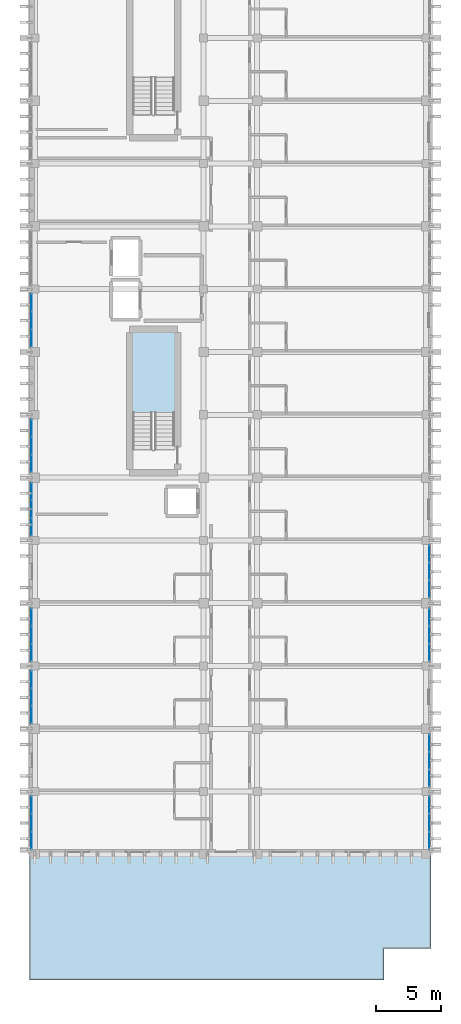
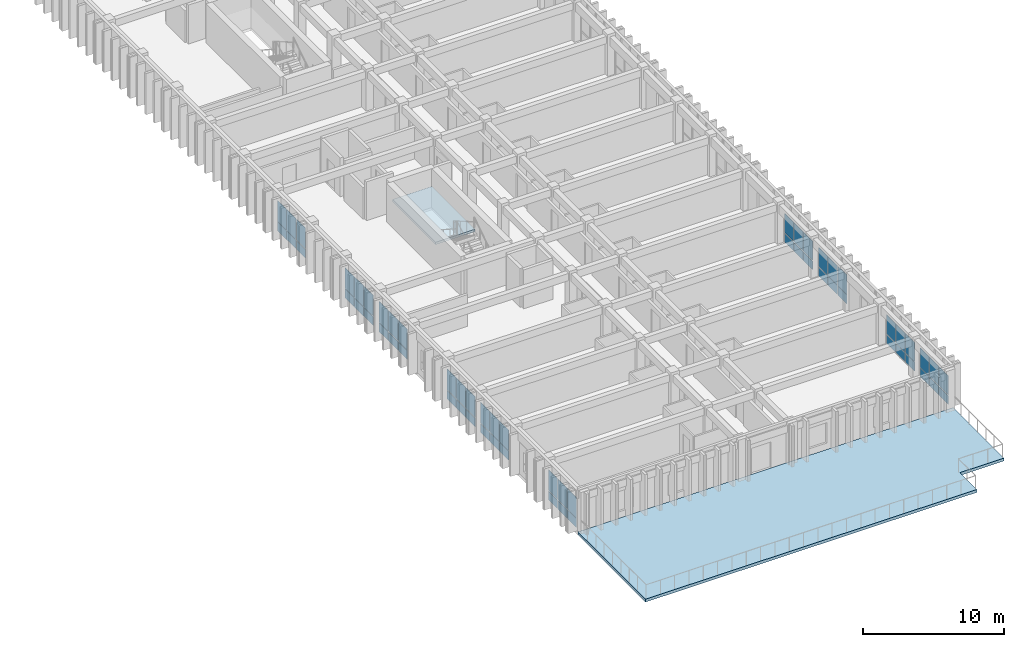
# One storey, part 45 of 59: 60 plates, 2 slabs, 11 elements without a shape of their own.
"""IFC4 building model written with IfcOpenShell, lengths in metres."""

from ifc_helpers import new_model, si_unit, direction, frame, origin, origin_2d, place, context, subcontext, project, spatial, polyline, rectangle, outline, extrude, material, layer, layer_set, type_object, element, aggregate, save


model = new_model("IFC4")

# Units and contexts
model_context = context("Model", 3, precision=1e-05, world=origin(), true_north=direction((0.0, 1.0)))
body_context = subcontext(model_context, "Body", "Model", "MODEL_VIEW")
ifc_project = project(units=[si_unit("LENGTHUNIT", "METRE"), si_unit("AREAUNIT", "SQUARE_METRE"), si_unit("VOLUMEUNIT", "CUBIC_METRE"), si_unit("PLANEANGLEUNIT", "RADIAN"), si_unit("MASSUNIT", "GRAM", prefix="KILO")], contexts=[model_context])

# Site, building, storey
site_placement = place(None, origin())
site = spatial("IfcSite", under=ifc_project, at=site_placement, CompositionType="ELEMENT")
building_placement = place(site_placement, origin())
building = spatial("IfcBuilding", under=site, at=building_placement, Name="Nakhvara Creek Congress Hotel", CompositionType="ELEMENT")
storey_placement = place(building_placement, frame((0.0, 0.0, 31.800048828125)))
storey = spatial("IfcBuildingStorey", under=building, at=storey_placement, Name="L07", CompositionType="ELEMENT", Elevation=31.800048828125)

# Curtain wall, plates
ifc_material_1 = material(Name="Bronze-anodised aluminium AW-6063-T6 and double-silver low-E glass", Category="aluminium")
ifc_layer_1 = layer(ifc_material_1, 0.199951171875)
ifc_layer_set_1 = layer_set([ifc_layer_1], Name="Bronze-anodised aluminium AW-6063-T6 and double-silver low-E glass")
curtain_wall_type = type_object("IfcCurtainWallType", Name="CW-HTL-UNIT", PredefinedType="USERDEFINED", material=ifc_layer_set_1)
curtain_wall_1_placement = place(storey_placement, origin())
curtain_wall_1 = element("IfcCurtainWall", 1, at=curtain_wall_1_placement, inside=storey, type_object=curtain_wall_type, Name="Curtain Wall CW253", ObjectType="UNITISED", PredefinedType="USERDEFINED")
ifc_material_2 = material(Name="Double-silver solar-control low-E insulated glass", Category="glass")
plate_type_1 = type_object("IfcPlateType", Name="PNL-GLZ-120X250", PredefinedType="CURTAIN_PANEL", material=ifc_material_2)
plate_1_placement = place(storey_placement, frame((179.60009765625, 51.775390625, 0.06494140625), z_axis=(0.0, 0.0, 1.0), x_axis=(0.0, -1.0, 0.0)))
plate_1 = element("IfcPlate", 2, at=plate_1_placement, type_object=plate_type_1, Name="CW253 panel 1.1", PredefinedType="CURTAIN_PANEL", context=body_context, shape_type="SweptSolid", body=[
    extrude(rectangle(XDim=1.269287109375, YDim=0.028076171875, at=origin_2d()), origin(), (0.0, 0.0, 1.0), 0.75244140625),
])
plate_2_placement = place(storey_placement, frame((179.60009765625, 51.775390625, 0.88232421875), z_axis=(0.0, 0.0, 1.0), x_axis=(0.0, -1.0, 0.0)))
plate_2 = element("IfcPlate", 3, at=plate_2_placement, type_object=plate_type_1, Name="CW253 panel 1.2", PredefinedType="CURTAIN_PANEL", context=body_context, shape_type="SweptSolid", body=[
    extrude(rectangle(XDim=1.269287109375, YDim=0.028076171875, at=origin_2d()), origin(), (0.0, 0.0, 1.0), 1.654541015625),
])
plate_3_placement = place(storey_placement, frame((179.60009765625, 50.425048828125, 0.06494140625), z_axis=(0.0, 0.0, 1.0), x_axis=(0.0, -1.0, 0.0)))
plate_3 = element("IfcPlate", 4, at=plate_3_placement, type_object=plate_type_1, Name="CW253 panel 2.1", PredefinedType="CURTAIN_PANEL", context=body_context, shape_type="SweptSolid", body=[
    extrude(rectangle(XDim=1.3017578125, YDim=0.028076171875, at=origin_2d()), origin(), (0.0, 0.0, 1.0), 0.75244140625),
])
plate_4_placement = place(storey_placement, frame((179.60009765625, 50.425048828125, 0.88232421875), z_axis=(0.0, 0.0, 1.0), x_axis=(0.0, -1.0, 0.0)))
plate_4 = element("IfcPlate", 5, at=plate_4_placement, type_object=plate_type_1, Name="CW253 panel 2.2", PredefinedType="CURTAIN_PANEL", context=body_context, shape_type="SweptSolid", body=[
    extrude(rectangle(XDim=1.3017578125, YDim=0.028076171875, at=origin_2d()), origin(), (0.0, 0.0, 1.0), 1.654541015625),
])
plate_5_placement = place(storey_placement, frame((179.60009765625, 49.074462890625, 0.06494140625), z_axis=(0.0, 0.0, 1.0), x_axis=(0.0, -1.0, 0.0)))
plate_5 = element("IfcPlate", 6, at=plate_5_placement, type_object=plate_type_1, Name="CW253 panel 3.1", PredefinedType="CURTAIN_PANEL", context=body_context, shape_type="SweptSolid", body=[
    extrude(rectangle(XDim=1.269287109375, YDim=0.028076171875, at=origin_2d()), origin(), (0.0, 0.0, 1.0), 0.75244140625),
])
plate_6_placement = place(storey_placement, frame((179.60009765625, 49.074462890625, 0.88232421875), z_axis=(0.0, 0.0, 1.0), x_axis=(0.0, -1.0, 0.0)))
plate_6 = element("IfcPlate", 7, at=plate_6_placement, type_object=plate_type_1, Name="CW253 panel 3.2", PredefinedType="CURTAIN_PANEL", context=body_context, shape_type="SweptSolid", body=[
    extrude(rectangle(XDim=1.269287109375, YDim=0.028076171875, at=origin_2d()), origin(), (0.0, 0.0, 1.0), 1.654541015625),
])
aggregate(curtain_wall_1, [plate_1, plate_2, plate_3, plate_4, plate_5, plate_6])

curtain_wall_2_placement = place(storey_placement, origin())
curtain_wall_2 = element("IfcCurtainWall", 8, at=curtain_wall_2_placement, inside=storey, type_object=curtain_wall_type, Name="Curtain Wall CW254", ObjectType="UNITISED", PredefinedType="USERDEFINED")
plate_7_placement = place(storey_placement, frame((149.199951171875, 49.074462890625, 0.06494140625), z_axis=(0.0, 0.0, 1.0), x_axis=(0.0, 1.0, 0.0)))
plate_7 = element("IfcPlate", 9, at=plate_7_placement, type_object=plate_type_1, Name="CW254 panel 1.1", PredefinedType="CURTAIN_PANEL", context=body_context, shape_type="SweptSolid", body=[
    extrude(rectangle(XDim=1.269287109375, YDim=0.028076171875, at=origin_2d()), origin(), (0.0, 0.0, 1.0), 0.75244140625),
])
plate_8_placement = place(storey_placement, frame((149.199951171875, 49.074462890625, 0.88232421875), z_axis=(0.0, 0.0, 1.0), x_axis=(0.0, 1.0, 0.0)))
plate_8 = element("IfcPlate", 10, at=plate_8_placement, type_object=plate_type_1, Name="CW254 panel 1.2", PredefinedType="CURTAIN_PANEL", context=body_context, shape_type="SweptSolid", body=[
    extrude(rectangle(XDim=1.269287109375, YDim=0.028076171875, at=origin_2d()), origin(), (0.0, 0.0, 1.0), 1.784423828125),
])
plate_9_placement = place(storey_placement, frame((149.199951171875, 50.425048828125, 0.06494140625), z_axis=(0.0, 0.0, 1.0), x_axis=(0.0, 1.0, 0.0)))
plate_9 = element("IfcPlate", 11, at=plate_9_placement, type_object=plate_type_1, Name="CW254 panel 2.1", PredefinedType="CURTAIN_PANEL", context=body_context, shape_type="SweptSolid", body=[
    extrude(rectangle(XDim=1.3017578125, YDim=0.028076171875, at=origin_2d()), origin(), (0.0, 0.0, 1.0), 0.75244140625),
])
plate_10_placement = place(storey_placement, frame((149.199951171875, 50.425048828125, 0.88232421875), z_axis=(0.0, 0.0, 1.0), x_axis=(0.0, 1.0, 0.0)))
plate_10 = element("IfcPlate", 12, at=plate_10_placement, type_object=plate_type_1, Name="CW254 panel 2.2", PredefinedType="CURTAIN_PANEL", context=body_context, shape_type="SweptSolid", body=[
    extrude(rectangle(XDim=1.3017578125, YDim=0.028076171875, at=origin_2d()), origin(), (0.0, 0.0, 1.0), 1.784423828125),
])
plate_11_placement = place(storey_placement, frame((149.199951171875, 51.775390625, 0.06494140625), z_axis=(0.0, 0.0, 1.0), x_axis=(0.0, 1.0, 0.0)))
plate_11 = element("IfcPlate", 13, at=plate_11_placement, type_object=plate_type_1, Name="CW254 panel 3.1", PredefinedType="CURTAIN_PANEL", context=body_context, shape_type="SweptSolid", body=[
    extrude(rectangle(XDim=1.269287109375, YDim=0.028076171875, at=origin_2d()), origin(), (0.0, 0.0, 1.0), 0.75244140625),
])
plate_12_placement = place(storey_placement, frame((149.199951171875, 51.775390625, 0.88232421875), z_axis=(0.0, 0.0, 1.0), x_axis=(0.0, 1.0, 0.0)))
plate_12 = element("IfcPlate", 14, at=plate_12_placement, type_object=plate_type_1, Name="CW254 panel 3.2", PredefinedType="CURTAIN_PANEL", context=body_context, shape_type="SweptSolid", body=[
    extrude(rectangle(XDim=1.269287109375, YDim=0.028076171875, at=origin_2d()), origin(), (0.0, 0.0, 1.0), 1.784423828125),
])
aggregate(curtain_wall_2, [plate_7, plate_8, plate_9, plate_10, plate_11, plate_12])

curtain_wall_3_placement = place(storey_placement, origin())
curtain_wall_3 = element("IfcCurtainWall", 15, at=curtain_wall_3_placement, inside=storey, type_object=curtain_wall_type, Name="Curtain Wall CW255", ObjectType="UNITISED", PredefinedType="USERDEFINED")
plate_13_placement = place(storey_placement, frame((179.60009765625, 56.525390625, 0.06494140625), z_axis=(0.0, 0.0, 1.0), x_axis=(0.0, -1.0, 0.0)))
plate_13 = element("IfcPlate", 16, at=plate_13_placement, type_object=plate_type_1, Name="CW255 panel 1.1", PredefinedType="CURTAIN_PANEL", context=body_context, shape_type="SweptSolid", body=[
    extrude(rectangle(XDim=1.269287109375, YDim=0.028076171875, at=origin_2d()), origin(), (0.0, 0.0, 1.0), 0.75244140625),
])
plate_14_placement = place(storey_placement, frame((179.60009765625, 56.525390625, 0.88232421875), z_axis=(0.0, 0.0, 1.0), x_axis=(0.0, -1.0, 0.0)))
plate_14 = element("IfcPlate", 17, at=plate_14_placement, type_object=plate_type_1, Name="CW255 panel 1.2", PredefinedType="CURTAIN_PANEL", context=body_context, shape_type="SweptSolid", body=[
    extrude(rectangle(XDim=1.269287109375, YDim=0.028076171875, at=origin_2d()), origin(), (0.0, 0.0, 1.0), 1.654541015625),
])
plate_15_placement = place(storey_placement, frame((179.60009765625, 55.175048828125, 0.06494140625), z_axis=(0.0, 0.0, 1.0), x_axis=(0.0, -1.0, 0.0)))
plate_15 = element("IfcPlate", 18, at=plate_15_placement, type_object=plate_type_1, Name="CW255 panel 2.1", PredefinedType="CURTAIN_PANEL", context=body_context, shape_type="SweptSolid", body=[
    extrude(rectangle(XDim=1.3017578125, YDim=0.028076171875, at=origin_2d()), origin(), (0.0, 0.0, 1.0), 0.75244140625),
])
plate_16_placement = place(storey_placement, frame((179.60009765625, 55.175048828125, 0.88232421875), z_axis=(0.0, 0.0, 1.0), x_axis=(0.0, -1.0, 0.0)))
plate_16 = element("IfcPlate", 19, at=plate_16_placement, type_object=plate_type_1, Name="CW255 panel 2.2", PredefinedType="CURTAIN_PANEL", context=body_context, shape_type="SweptSolid", body=[
    extrude(rectangle(XDim=1.3017578125, YDim=0.028076171875, at=origin_2d()), origin(), (0.0, 0.0, 1.0), 1.654541015625),
])
plate_17_placement = place(storey_placement, frame((179.60009765625, 53.824462890625, 0.06494140625), z_axis=(0.0, 0.0, 1.0), x_axis=(0.0, -1.0, 0.0)))
plate_17 = element("IfcPlate", 20, at=plate_17_placement, type_object=plate_type_1, Name="CW255 panel 3.1", PredefinedType="CURTAIN_PANEL", context=body_context, shape_type="SweptSolid", body=[
    extrude(rectangle(XDim=1.269287109375, YDim=0.028076171875, at=origin_2d()), origin(), (0.0, 0.0, 1.0), 0.75244140625),
])
plate_18_placement = place(storey_placement, frame((179.60009765625, 53.824462890625, 0.88232421875), z_axis=(0.0, 0.0, 1.0), x_axis=(0.0, -1.0, 0.0)))
plate_18 = element("IfcPlate", 21, at=plate_18_placement, type_object=plate_type_1, Name="CW255 panel 3.2", PredefinedType="CURTAIN_PANEL", context=body_context, shape_type="SweptSolid", body=[
    extrude(rectangle(XDim=1.269287109375, YDim=0.028076171875, at=origin_2d()), origin(), (0.0, 0.0, 1.0), 1.654541015625),
])
aggregate(curtain_wall_3, [plate_13, plate_14, plate_15, plate_16, plate_17, plate_18])

curtain_wall_4_placement = place(storey_placement, origin())
curtain_wall_4 = element("IfcCurtainWall", 22, at=curtain_wall_4_placement, inside=storey, type_object=curtain_wall_type, Name="Curtain Wall CW256", ObjectType="UNITISED", PredefinedType="USERDEFINED")
plate_19_placement = place(storey_placement, frame((149.199951171875, 58.674560546875, 0.06494140625), z_axis=(0.0, 0.0, 1.0), x_axis=(0.0, 1.0, 0.0)))
plate_19 = element("IfcPlate", 23, at=plate_19_placement, type_object=plate_type_1, Name="CW256 panel 1.1", PredefinedType="CURTAIN_PANEL", context=body_context, shape_type="SweptSolid", body=[
    extrude(rectangle(XDim=1.269287109375, YDim=0.028076171875, at=origin_2d()), origin(), (0.0, 0.0, 1.0), 0.75244140625),
])
plate_20_placement = place(storey_placement, frame((149.199951171875, 58.674560546875, 0.88232421875), z_axis=(0.0, 0.0, 1.0), x_axis=(0.0, 1.0, 0.0)))
plate_20 = element("IfcPlate", 24, at=plate_20_placement, type_object=plate_type_1, Name="CW256 panel 1.2", PredefinedType="CURTAIN_PANEL", context=body_context, shape_type="SweptSolid", body=[
    extrude(rectangle(XDim=1.269287109375, YDim=0.028076171875, at=origin_2d()), origin(), (0.0, 0.0, 1.0), 1.784423828125),
])
plate_21_placement = place(storey_placement, frame((149.199951171875, 60.02490234375, 0.06494140625), z_axis=(0.0, 0.0, 1.0), x_axis=(0.0, 1.0, 0.0)))
plate_21 = element("IfcPlate", 25, at=plate_21_placement, type_object=plate_type_1, Name="CW256 panel 2.1", PredefinedType="CURTAIN_PANEL", context=body_context, shape_type="SweptSolid", body=[
    extrude(rectangle(XDim=1.3017578125, YDim=0.028076171875, at=origin_2d()), origin(), (0.0, 0.0, 1.0), 0.75244140625),
])
plate_22_placement = place(storey_placement, frame((149.199951171875, 60.02490234375, 0.88232421875), z_axis=(0.0, 0.0, 1.0), x_axis=(0.0, 1.0, 0.0)))
plate_22 = element("IfcPlate", 26, at=plate_22_placement, type_object=plate_type_1, Name="CW256 panel 2.2", PredefinedType="CURTAIN_PANEL", context=body_context, shape_type="SweptSolid", body=[
    extrude(rectangle(XDim=1.3017578125, YDim=0.028076171875, at=origin_2d()), origin(), (0.0, 0.0, 1.0), 1.784423828125),
])
plate_23_placement = place(storey_placement, frame((149.199951171875, 61.37548828125, 0.06494140625), z_axis=(0.0, 0.0, 1.0), x_axis=(0.0, 1.0, 0.0)))
plate_23 = element("IfcPlate", 27, at=plate_23_placement, type_object=plate_type_1, Name="CW256 panel 3.1", PredefinedType="CURTAIN_PANEL", context=body_context, shape_type="SweptSolid", body=[
    extrude(rectangle(XDim=1.269287109375, YDim=0.028076171875, at=origin_2d()), origin(), (0.0, 0.0, 1.0), 0.75244140625),
])
plate_24_placement = place(storey_placement, frame((149.199951171875, 61.37548828125, 0.88232421875), z_axis=(0.0, 0.0, 1.0), x_axis=(0.0, 1.0, 0.0)))
plate_24 = element("IfcPlate", 28, at=plate_24_placement, type_object=plate_type_1, Name="CW256 panel 3.2", PredefinedType="CURTAIN_PANEL", context=body_context, shape_type="SweptSolid", body=[
    extrude(rectangle(XDim=1.269287109375, YDim=0.028076171875, at=origin_2d()), origin(), (0.0, 0.0, 1.0), 1.784423828125),
])
aggregate(curtain_wall_4, [plate_19, plate_20, plate_21, plate_22, plate_23, plate_24])

curtain_wall_5_placement = place(storey_placement, origin())
curtain_wall_5 = element("IfcCurtainWall", 29, at=curtain_wall_5_placement, inside=storey, type_object=curtain_wall_type, Name="Curtain Wall CW257", ObjectType="UNITISED", PredefinedType="USERDEFINED")
plate_25_placement = place(storey_placement, frame((179.60009765625, 66.12548828125, 0.06494140625), z_axis=(0.0, 0.0, 1.0), x_axis=(0.0, -1.0, 0.0)))
plate_25 = element("IfcPlate", 30, at=plate_25_placement, type_object=plate_type_1, Name="CW257 panel 1.1", PredefinedType="CURTAIN_PANEL", context=body_context, shape_type="SweptSolid", body=[
    extrude(rectangle(XDim=1.269287109375, YDim=0.028076171875, at=origin_2d()), origin(), (0.0, 0.0, 1.0), 0.75244140625),
])
plate_26_placement = place(storey_placement, frame((179.60009765625, 66.12548828125, 0.88232421875), z_axis=(0.0, 0.0, 1.0), x_axis=(0.0, -1.0, 0.0)))
plate_26 = element("IfcPlate", 31, at=plate_26_placement, type_object=plate_type_1, Name="CW257 panel 1.2", PredefinedType="CURTAIN_PANEL", context=body_context, shape_type="SweptSolid", body=[
    extrude(rectangle(XDim=1.269287109375, YDim=0.028076171875, at=origin_2d()), origin(), (0.0, 0.0, 1.0), 1.654541015625),
])
plate_27_placement = place(storey_placement, frame((179.60009765625, 64.77490234375, 0.06494140625), z_axis=(0.0, 0.0, 1.0), x_axis=(0.0, -1.0, 0.0)))
plate_27 = element("IfcPlate", 32, at=plate_27_placement, type_object=plate_type_1, Name="CW257 panel 2.1", PredefinedType="CURTAIN_PANEL", context=body_context, shape_type="SweptSolid", body=[
    extrude(rectangle(XDim=1.3017578125, YDim=0.028076171875, at=origin_2d()), origin(), (0.0, 0.0, 1.0), 0.75244140625),
])
plate_28_placement = place(storey_placement, frame((179.60009765625, 64.77490234375, 0.88232421875), z_axis=(0.0, 0.0, 1.0), x_axis=(0.0, -1.0, 0.0)))
plate_28 = element("IfcPlate", 33, at=plate_28_placement, type_object=plate_type_1, Name="CW257 panel 2.2", PredefinedType="CURTAIN_PANEL", context=body_context, shape_type="SweptSolid", body=[
    extrude(rectangle(XDim=1.3017578125, YDim=0.028076171875, at=origin_2d()), origin(), (0.0, 0.0, 1.0), 1.654541015625),
])
plate_29_placement = place(storey_placement, frame((179.60009765625, 63.424560546875, 0.06494140625), z_axis=(0.0, 0.0, 1.0), x_axis=(0.0, -1.0, 0.0)))
plate_29 = element("IfcPlate", 34, at=plate_29_placement, type_object=plate_type_1, Name="CW257 panel 3.1", PredefinedType="CURTAIN_PANEL", context=body_context, shape_type="SweptSolid", body=[
    extrude(rectangle(XDim=1.269287109375, YDim=0.028076171875, at=origin_2d()), origin(), (0.0, 0.0, 1.0), 0.75244140625),
])
plate_30_placement = place(storey_placement, frame((179.60009765625, 63.424560546875, 0.88232421875), z_axis=(0.0, 0.0, 1.0), x_axis=(0.0, -1.0, 0.0)))
plate_30 = element("IfcPlate", 35, at=plate_30_placement, type_object=plate_type_1, Name="CW257 panel 3.2", PredefinedType="CURTAIN_PANEL", context=body_context, shape_type="SweptSolid", body=[
    extrude(rectangle(XDim=1.269287109375, YDim=0.028076171875, at=origin_2d()), origin(), (0.0, 0.0, 1.0), 1.654541015625),
])
aggregate(curtain_wall_5, [plate_25, plate_26, plate_27, plate_28, plate_29, plate_30])

curtain_wall_6_placement = place(storey_placement, origin())
curtain_wall_6 = element("IfcCurtainWall", 36, at=curtain_wall_6_placement, inside=storey, type_object=curtain_wall_type, Name="Curtain Wall CW258", ObjectType="UNITISED", PredefinedType="USERDEFINED")
plate_31_placement = place(storey_placement, frame((149.199951171875, 63.424560546875, 0.06494140625), z_axis=(0.0, 0.0, 1.0), x_axis=(0.0, 1.0, 0.0)))
plate_31 = element("IfcPlate", 37, at=plate_31_placement, type_object=plate_type_1, Name="CW258 panel 1.1", PredefinedType="CURTAIN_PANEL", context=body_context, shape_type="SweptSolid", body=[
    extrude(rectangle(XDim=1.269287109375, YDim=0.028076171875, at=origin_2d()), origin(), (0.0, 0.0, 1.0), 0.75244140625),
])
plate_32_placement = place(storey_placement, frame((149.199951171875, 63.424560546875, 0.88232421875), z_axis=(0.0, 0.0, 1.0), x_axis=(0.0, 1.0, 0.0)))
plate_32 = element("IfcPlate", 38, at=plate_32_placement, type_object=plate_type_1, Name="CW258 panel 1.2", PredefinedType="CURTAIN_PANEL", context=body_context, shape_type="SweptSolid", body=[
    extrude(rectangle(XDim=1.269287109375, YDim=0.028076171875, at=origin_2d()), origin(), (0.0, 0.0, 1.0), 1.784423828125),
])
plate_33_placement = place(storey_placement, frame((149.199951171875, 64.77490234375, 0.06494140625), z_axis=(0.0, 0.0, 1.0), x_axis=(0.0, 1.0, 0.0)))
plate_33 = element("IfcPlate", 39, at=plate_33_placement, type_object=plate_type_1, Name="CW258 panel 2.1", PredefinedType="CURTAIN_PANEL", context=body_context, shape_type="SweptSolid", body=[
    extrude(rectangle(XDim=1.3017578125, YDim=0.028076171875, at=origin_2d()), origin(), (0.0, 0.0, 1.0), 0.75244140625),
])
plate_34_placement = place(storey_placement, frame((149.199951171875, 64.77490234375, 0.88232421875), z_axis=(0.0, 0.0, 1.0), x_axis=(0.0, 1.0, 0.0)))
plate_34 = element("IfcPlate", 40, at=plate_34_placement, type_object=plate_type_1, Name="CW258 panel 2.2", PredefinedType="CURTAIN_PANEL", context=body_context, shape_type="SweptSolid", body=[
    extrude(rectangle(XDim=1.3017578125, YDim=0.028076171875, at=origin_2d()), origin(), (0.0, 0.0, 1.0), 1.784423828125),
])
plate_35_placement = place(storey_placement, frame((149.199951171875, 66.12548828125, 0.06494140625), z_axis=(0.0, 0.0, 1.0), x_axis=(0.0, 1.0, 0.0)))
plate_35 = element("IfcPlate", 41, at=plate_35_placement, type_object=plate_type_1, Name="CW258 panel 3.1", PredefinedType="CURTAIN_PANEL", context=body_context, shape_type="SweptSolid", body=[
    extrude(rectangle(XDim=1.269287109375, YDim=0.028076171875, at=origin_2d()), origin(), (0.0, 0.0, 1.0), 0.75244140625),
])
plate_36_placement = place(storey_placement, frame((149.199951171875, 66.12548828125, 0.88232421875), z_axis=(0.0, 0.0, 1.0), x_axis=(0.0, 1.0, 0.0)))
plate_36 = element("IfcPlate", 42, at=plate_36_placement, type_object=plate_type_1, Name="CW258 panel 3.2", PredefinedType="CURTAIN_PANEL", context=body_context, shape_type="SweptSolid", body=[
    extrude(rectangle(XDim=1.269287109375, YDim=0.028076171875, at=origin_2d()), origin(), (0.0, 0.0, 1.0), 1.784423828125),
])
aggregate(curtain_wall_6, [plate_31, plate_32, plate_33, plate_34, plate_35, plate_36])

curtain_wall_7_placement = place(storey_placement, origin())
curtain_wall_7 = element("IfcCurtainWall", 43, at=curtain_wall_7_placement, inside=storey, type_object=curtain_wall_type, Name="Curtain Wall CW259", ObjectType="UNITISED", PredefinedType="USERDEFINED")
plate_37_placement = place(storey_placement, frame((179.60009765625, 70.975341796875, 0.06494140625), z_axis=(0.0, 0.0, 1.0), x_axis=(0.0, -1.0, 0.0)))
plate_37 = element("IfcPlate", 44, at=plate_37_placement, type_object=plate_type_1, Name="CW259 panel 1.1", PredefinedType="CURTAIN_PANEL", context=body_context, shape_type="SweptSolid", body=[
    extrude(rectangle(XDim=1.269287109375, YDim=0.028076171875, at=origin_2d()), origin(), (0.0, 0.0, 1.0), 0.75244140625),
])
plate_38_placement = place(storey_placement, frame((179.60009765625, 70.975341796875, 0.88232421875), z_axis=(0.0, 0.0, 1.0), x_axis=(0.0, -1.0, 0.0)))
plate_38 = element("IfcPlate", 45, at=plate_38_placement, type_object=plate_type_1, Name="CW259 panel 1.2", PredefinedType="CURTAIN_PANEL", context=body_context, shape_type="SweptSolid", body=[
    extrude(rectangle(XDim=1.269287109375, YDim=0.028076171875, at=origin_2d()), origin(), (0.0, 0.0, 1.0), 1.654541015625),
])
plate_39_placement = place(storey_placement, frame((179.60009765625, 69.625, 0.06494140625), z_axis=(0.0, 0.0, 1.0), x_axis=(0.0, -1.0, 0.0)))
plate_39 = element("IfcPlate", 46, at=plate_39_placement, type_object=plate_type_1, Name="CW259 panel 2.1", PredefinedType="CURTAIN_PANEL", context=body_context, shape_type="SweptSolid", body=[
    extrude(rectangle(XDim=1.3017578125, YDim=0.028076171875, at=origin_2d()), origin(), (0.0, 0.0, 1.0), 0.75244140625),
])
plate_40_placement = place(storey_placement, frame((179.60009765625, 69.625, 0.88232421875), z_axis=(0.0, 0.0, 1.0), x_axis=(0.0, -1.0, 0.0)))
plate_40 = element("IfcPlate", 47, at=plate_40_placement, type_object=plate_type_1, Name="CW259 panel 2.2", PredefinedType="CURTAIN_PANEL", context=body_context, shape_type="SweptSolid", body=[
    extrude(rectangle(XDim=1.3017578125, YDim=0.028076171875, at=origin_2d()), origin(), (0.0, 0.0, 1.0), 1.654541015625),
])
plate_41_placement = place(storey_placement, frame((179.60009765625, 68.274658203125, 0.06494140625), z_axis=(0.0, 0.0, 1.0), x_axis=(0.0, -1.0, 0.0)))
plate_41 = element("IfcPlate", 48, at=plate_41_placement, type_object=plate_type_1, Name="CW259 panel 3.1", PredefinedType="CURTAIN_PANEL", context=body_context, shape_type="SweptSolid", body=[
    extrude(rectangle(XDim=1.269287109375, YDim=0.028076171875, at=origin_2d()), origin(), (0.0, 0.0, 1.0), 0.75244140625),
])
plate_42_placement = place(storey_placement, frame((179.60009765625, 68.274658203125, 0.88232421875), z_axis=(0.0, 0.0, 1.0), x_axis=(0.0, -1.0, 0.0)))
plate_42 = element("IfcPlate", 49, at=plate_42_placement, type_object=plate_type_1, Name="CW259 panel 3.2", PredefinedType="CURTAIN_PANEL", context=body_context, shape_type="SweptSolid", body=[
    extrude(rectangle(XDim=1.269287109375, YDim=0.028076171875, at=origin_2d()), origin(), (0.0, 0.0, 1.0), 1.654541015625),
])
aggregate(curtain_wall_7, [plate_37, plate_38, plate_39, plate_40, plate_41, plate_42])

curtain_wall_8_placement = place(storey_placement, origin())
curtain_wall_8 = element("IfcCurtainWall", 50, at=curtain_wall_8_placement, inside=storey, type_object=curtain_wall_type, Name="Curtain Wall CW262", ObjectType="UNITISED", PredefinedType="USERDEFINED")
plate_43_placement = place(storey_placement, frame((149.199951171875, 77.87451171875, 0.06494140625), z_axis=(0.0, 0.0, 1.0), x_axis=(0.0, 1.0, 0.0)))
plate_43 = element("IfcPlate", 51, at=plate_43_placement, type_object=plate_type_1, Name="CW262 panel 1.1", PredefinedType="CURTAIN_PANEL", context=body_context, shape_type="SweptSolid", body=[
    extrude(rectangle(XDim=1.269287109375, YDim=0.028076171875, at=origin_2d()), origin(), (0.0, 0.0, 1.0), 0.75244140625),
])
plate_44_placement = place(storey_placement, frame((149.199951171875, 77.87451171875, 0.88232421875), z_axis=(0.0, 0.0, 1.0), x_axis=(0.0, 1.0, 0.0)))
plate_44 = element("IfcPlate", 52, at=plate_44_placement, type_object=plate_type_1, Name="CW262 panel 1.2", PredefinedType="CURTAIN_PANEL", context=body_context, shape_type="SweptSolid", body=[
    extrude(rectangle(XDim=1.269287109375, YDim=0.028076171875, at=origin_2d()), origin(), (0.0, 0.0, 1.0), 1.784423828125),
])
plate_45_placement = place(storey_placement, frame((149.199951171875, 79.22509765625, 0.06494140625), z_axis=(0.0, 0.0, 1.0), x_axis=(0.0, 1.0, 0.0)))
plate_45 = element("IfcPlate", 53, at=plate_45_placement, type_object=plate_type_1, Name="CW262 panel 2.1", PredefinedType="CURTAIN_PANEL", context=body_context, shape_type="SweptSolid", body=[
    extrude(rectangle(XDim=1.3017578125, YDim=0.028076171875, at=origin_2d()), origin(), (0.0, 0.0, 1.0), 0.75244140625),
])
plate_46_placement = place(storey_placement, frame((149.199951171875, 79.22509765625, 0.88232421875), z_axis=(0.0, 0.0, 1.0), x_axis=(0.0, 1.0, 0.0)))
plate_46 = element("IfcPlate", 54, at=plate_46_placement, type_object=plate_type_1, Name="CW262 panel 2.2", PredefinedType="CURTAIN_PANEL", context=body_context, shape_type="SweptSolid", body=[
    extrude(rectangle(XDim=1.3017578125, YDim=0.028076171875, at=origin_2d()), origin(), (0.0, 0.0, 1.0), 1.784423828125),
])
plate_47_placement = place(storey_placement, frame((149.199951171875, 80.575439453125, 0.06494140625), z_axis=(0.0, 0.0, 1.0), x_axis=(0.0, 1.0, 0.0)))
plate_47 = element("IfcPlate", 55, at=plate_47_placement, type_object=plate_type_1, Name="CW262 panel 3.1", PredefinedType="CURTAIN_PANEL", context=body_context, shape_type="SweptSolid", body=[
    extrude(rectangle(XDim=1.269287109375, YDim=0.028076171875, at=origin_2d()), origin(), (0.0, 0.0, 1.0), 0.75244140625),
])
plate_48_placement = place(storey_placement, frame((149.199951171875, 80.575439453125, 0.88232421875), z_axis=(0.0, 0.0, 1.0), x_axis=(0.0, 1.0, 0.0)))
plate_48 = element("IfcPlate", 56, at=plate_48_placement, type_object=plate_type_1, Name="CW262 panel 3.2", PredefinedType="CURTAIN_PANEL", context=body_context, shape_type="SweptSolid", body=[
    extrude(rectangle(XDim=1.269287109375, YDim=0.028076171875, at=origin_2d()), origin(), (0.0, 0.0, 1.0), 1.784423828125),
])
aggregate(curtain_wall_8, [plate_43, plate_44, plate_45, plate_46, plate_47, plate_48])

curtain_wall_9_placement = place(storey_placement, origin())
curtain_wall_9 = element("IfcCurtainWall", 57, at=curtain_wall_9_placement, inside=storey, type_object=curtain_wall_type, Name="Curtain Wall CW264", ObjectType="UNITISED", PredefinedType="USERDEFINED")
plate_49_placement = place(storey_placement, frame((149.199951171875, 87.474609375, 0.06494140625), z_axis=(0.0, 0.0, 1.0), x_axis=(0.0, 1.0, 0.0)))
plate_49 = element("IfcPlate", 58, at=plate_49_placement, type_object=plate_type_1, Name="CW264 panel 1.1", PredefinedType="CURTAIN_PANEL", context=body_context, shape_type="SweptSolid", body=[
    extrude(rectangle(XDim=1.269287109375, YDim=0.028076171875, at=origin_2d()), origin(), (0.0, 0.0, 1.0), 0.75244140625),
])
plate_50_placement = place(storey_placement, frame((149.199951171875, 87.474609375, 0.88232421875), z_axis=(0.0, 0.0, 1.0), x_axis=(0.0, 1.0, 0.0)))
plate_50 = element("IfcPlate", 59, at=plate_50_placement, type_object=plate_type_1, Name="CW264 panel 1.2", PredefinedType="CURTAIN_PANEL", context=body_context, shape_type="SweptSolid", body=[
    extrude(rectangle(XDim=1.269287109375, YDim=0.028076171875, at=origin_2d()), origin(), (0.0, 0.0, 1.0), 1.784423828125),
])
plate_51_placement = place(storey_placement, frame((149.199951171875, 88.824951171875, 0.06494140625), z_axis=(0.0, 0.0, 1.0), x_axis=(0.0, 1.0, 0.0)))
plate_51 = element("IfcPlate", 60, at=plate_51_placement, type_object=plate_type_1, Name="CW264 panel 2.1", PredefinedType="CURTAIN_PANEL", context=body_context, shape_type="SweptSolid", body=[
    extrude(rectangle(XDim=1.3017578125, YDim=0.028076171875, at=origin_2d()), origin(), (0.0, 0.0, 1.0), 0.75244140625),
])
plate_52_placement = place(storey_placement, frame((149.199951171875, 88.824951171875, 0.88232421875), z_axis=(0.0, 0.0, 1.0), x_axis=(0.0, 1.0, 0.0)))
plate_52 = element("IfcPlate", 61, at=plate_52_placement, type_object=plate_type_1, Name="CW264 panel 2.2", PredefinedType="CURTAIN_PANEL", context=body_context, shape_type="SweptSolid", body=[
    extrude(rectangle(XDim=1.3017578125, YDim=0.028076171875, at=origin_2d()), origin(), (0.0, 0.0, 1.0), 1.784423828125),
])
plate_53_placement = place(storey_placement, frame((149.199951171875, 90.175537109375, 0.06494140625), z_axis=(0.0, 0.0, 1.0), x_axis=(0.0, 1.0, 0.0)))
plate_53 = element("IfcPlate", 62, at=plate_53_placement, type_object=plate_type_1, Name="CW264 panel 3.1", PredefinedType="CURTAIN_PANEL", context=body_context, shape_type="SweptSolid", body=[
    extrude(rectangle(XDim=1.269287109375, YDim=0.028076171875, at=origin_2d()), origin(), (0.0, 0.0, 1.0), 0.75244140625),
])
plate_54_placement = place(storey_placement, frame((149.199951171875, 90.175537109375, 0.88232421875), z_axis=(0.0, 0.0, 1.0), x_axis=(0.0, 1.0, 0.0)))
plate_54 = element("IfcPlate", 63, at=plate_54_placement, type_object=plate_type_1, Name="CW264 panel 3.2", PredefinedType="CURTAIN_PANEL", context=body_context, shape_type="SweptSolid", body=[
    extrude(rectangle(XDim=1.269287109375, YDim=0.028076171875, at=origin_2d()), origin(), (0.0, 0.0, 1.0), 1.784423828125),
])
aggregate(curtain_wall_9, [plate_49, plate_50, plate_51, plate_52, plate_53, plate_54])

curtain_wall_10_placement = place(storey_placement, origin())
curtain_wall_10 = element("IfcCurtainWall", 64, at=curtain_wall_10_placement, inside=storey, type_object=curtain_wall_type, Name="Curtain Wall CW260", ObjectType="UNITISED", PredefinedType="USERDEFINED")
ifc_material_3 = material(Name="Back-insulated bronze spandrel glass panel", Category="glass")
plate_type_2 = type_object("IfcPlateType", Name="PNL-SPN-120X080", PredefinedType="CURTAIN_PANEL", material=ifc_material_3)
plate_55_placement = place(storey_placement, frame((149.199951171875, 73.024658203125, 0.06494140625), z_axis=(0.0, 0.0, 1.0), x_axis=(0.0, 1.0, 0.0)))
plate_55 = element("IfcPlate", 65, at=plate_55_placement, type_object=plate_type_2, Name="CW260 panel 1.1", PredefinedType="CURTAIN_PANEL", context=body_context, shape_type="SweptSolid", body=[
    extrude(rectangle(XDim=1.269287109375, YDim=0.0419921875, at=origin_2d()), origin(), (0.0, 0.0, 1.0), 0.75244140625),
])
plate_56_placement = place(storey_placement, frame((149.199951171875, 73.024658203125, 0.88232421875), z_axis=(0.0, 0.0, 1.0), x_axis=(0.0, 1.0, 0.0)))
plate_56 = element("IfcPlate", 66, at=plate_56_placement, type_object=plate_type_2, Name="CW260 panel 1.2", PredefinedType="CURTAIN_PANEL", context=body_context, shape_type="SweptSolid", body=[
    extrude(rectangle(XDim=1.269287109375, YDim=0.0419921875, at=origin_2d()), origin(), (0.0, 0.0, 1.0), 1.784423828125),
])
plate_57_placement = place(storey_placement, frame((149.199951171875, 74.375, 0.06494140625), z_axis=(0.0, 0.0, 1.0), x_axis=(0.0, 1.0, 0.0)))
plate_57 = element("IfcPlate", 67, at=plate_57_placement, type_object=plate_type_2, Name="CW260 panel 2.1", PredefinedType="CURTAIN_PANEL", context=body_context, shape_type="SweptSolid", body=[
    extrude(rectangle(XDim=1.3017578125, YDim=0.0419921875, at=origin_2d()), origin(), (0.0, 0.0, 1.0), 0.75244140625),
])
plate_58_placement = place(storey_placement, frame((149.199951171875, 74.375, 0.88232421875), z_axis=(0.0, 0.0, 1.0), x_axis=(0.0, 1.0, 0.0)))
plate_58 = element("IfcPlate", 68, at=plate_58_placement, type_object=plate_type_2, Name="CW260 panel 2.2", PredefinedType="CURTAIN_PANEL", context=body_context, shape_type="SweptSolid", body=[
    extrude(rectangle(XDim=1.3017578125, YDim=0.0419921875, at=origin_2d()), origin(), (0.0, 0.0, 1.0), 1.784423828125),
])
plate_59_placement = place(storey_placement, frame((149.199951171875, 75.725341796875, 0.06494140625), z_axis=(0.0, 0.0, 1.0), x_axis=(0.0, 1.0, 0.0)))
plate_59 = element("IfcPlate", 69, at=plate_59_placement, type_object=plate_type_2, Name="CW260 panel 3.1", PredefinedType="CURTAIN_PANEL", context=body_context, shape_type="SweptSolid", body=[
    extrude(rectangle(XDim=1.269287109375, YDim=0.0419921875, at=origin_2d()), origin(), (0.0, 0.0, 1.0), 0.75244140625),
])
plate_60_placement = place(storey_placement, frame((149.199951171875, 75.725341796875, 0.88232421875), z_axis=(0.0, 0.0, 1.0), x_axis=(0.0, 1.0, 0.0)))
plate_60 = element("IfcPlate", 70, at=plate_60_placement, type_object=plate_type_2, Name="CW260 panel 3.2", PredefinedType="CURTAIN_PANEL", context=body_context, shape_type="SweptSolid", body=[
    extrude(rectangle(XDim=1.269287109375, YDim=0.0419921875, at=origin_2d()), origin(), (0.0, 0.0, 1.0), 1.784423828125),
])
aggregate(curtain_wall_10, [plate_55, plate_56, plate_57, plate_58, plate_59, plate_60])

# Slab
ifc_material_4 = material(Name="Concrete C40/50", Category="concrete")
ifc_layer_2 = layer(ifc_material_4, 0.25)
ifc_layer_set_2 = layer_set([ifc_layer_2], Name="Concrete C40/50")
slab_type_1 = type_object("IfcSlabType", Name="SL-EXT-250", PredefinedType="FLOOR", material=ifc_layer_set_2)
slab_1_placement = place(storey_placement, frame((0.0, 0.0, -0.25)))
element("IfcSlab", 71, at=slab_1_placement, inside=storey, type_object=slab_type_1, Name="Outdoor Terrace Slab SLB-L07-TER-S", PredefinedType="FLOOR", context=body_context, shape_type="SweptSolid", body=[
    extrude(outline(polyline([(149.050048828125, 38.39990234375), (176.14990234375, 38.39990234375), (176.14990234375, 40.800048828125), (179.75, 40.800048828125), (179.75, 48.0), (149.050048828125, 48.0), (149.050048828125, 38.39990234375)])), origin(), (0.0, 0.0, 1.0), 0.25),
])

# Stair, slab
stair_type = type_object("IfcStairType", Name="ST-CORE-160", PredefinedType="HALF_TURN_STAIR", material=ifc_material_4)
stair_placement = place(storey_placement, origin())
stair = element("IfcStair", 72, at=stair_placement, inside=storey, type_object=stair_type, Name="L07 Protected Exit Stair ST01", PredefinedType="HALF_TURN_STAIR")
ifc_layer_3 = layer(ifc_material_4, 0.199951171875)
ifc_layer_set_3 = layer_set([ifc_layer_3], Name="Concrete C40/50")
slab_type_2 = type_object("IfcSlabType", Name="SL-LAND-200", PredefinedType="LANDING", material=ifc_layer_set_3)
slab_2_placement = place(storey_placement, frame((0.0, 0.0, 1.599853515625)))
slab_2 = element("IfcSlab", 73, at=slab_2_placement, type_object=slab_type_2, Name="ST01 landing 1", PredefinedType="LANDING", context=body_context, shape_type="SweptSolid", body=[
    extrude(outline(polyline([(160.14990234375, 81.77490234375), (160.14990234375, 87.89990234375), (156.919921875, 87.89990234375), (156.919921875, 81.77490234375), (160.14990234375, 81.77490234375)])), origin(), (0.0, 0.0, 1.0), 0.2001953125),
])
aggregate(stair, [slab_2])

save(model, "model.ifc")
